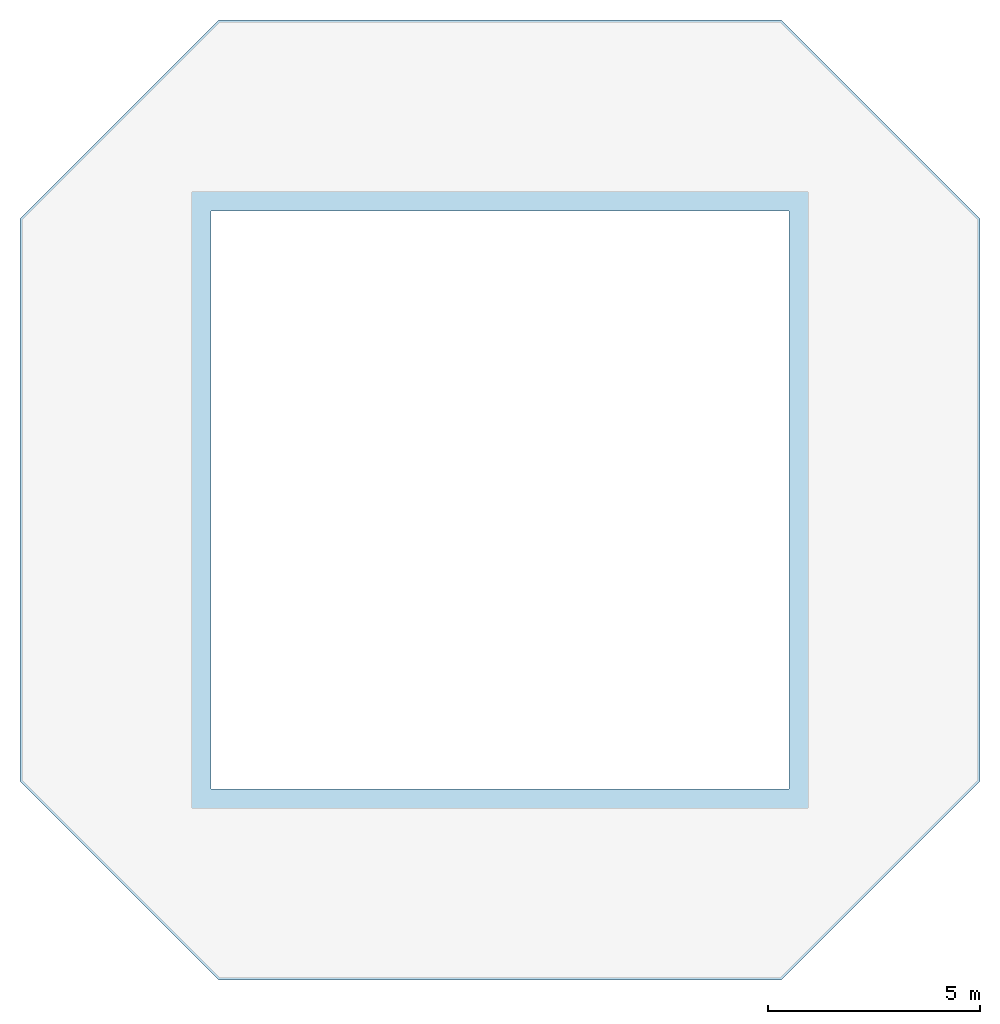
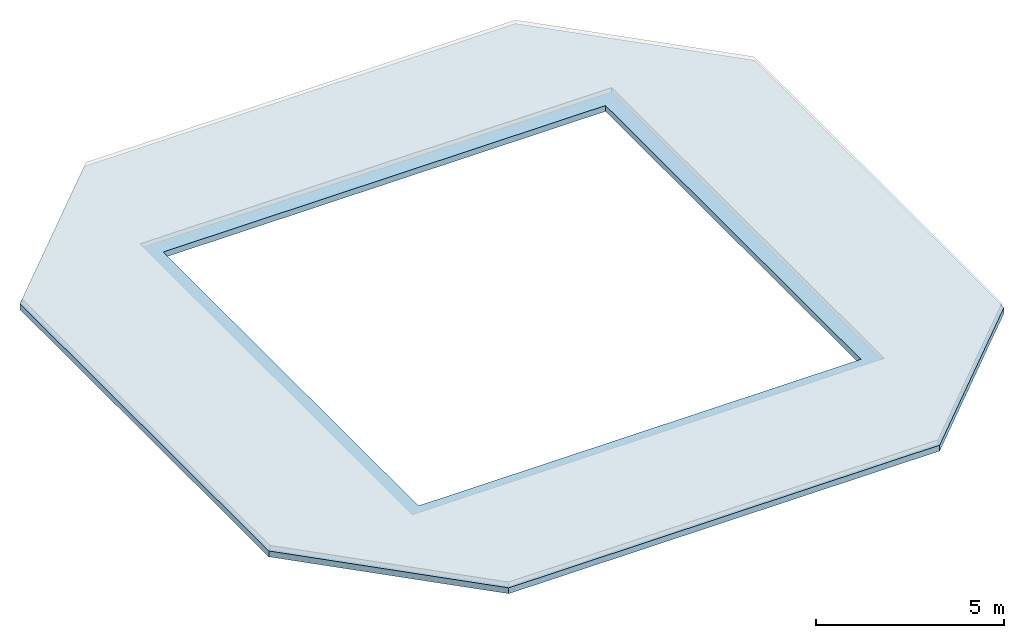
# One storey, part 1 of 2: 1 slab.
"""IFC4 building model written with IfcOpenShell, lengths in metres."""

import ifcopenshell
import ifcopenshell.guid

model = None  # the IFC model being written
_history = None  # IfcOwnerHistory: only IFC2X3 demands one
_inside = {}  # id of a spatial element -> (the spatial element, [elements in it])
_under = {}  # id of a project, library or spatial element -> (it, [spatial elements below it])
_declared = {}  # id of a project -> (the project, [libraries it declares])
_typed = {}  # id of a type object -> (the type object, [elements of that type])
_made_of = {}  # id of a material, layer set ... -> (it, [elements and type objects made of it])


def new_model(schema):
    """Start an empty IFC model of exactly this schema.

    Asked for "IFC4X3", IfcOpenShell would pick the latest addendum, in which some entities
    have other attributes; the version numbers below select the first issue.
    IFC2X3 requires an IfcOwnerHistory on every rooted entity: one is made here for all.
    """
    global model, _history
    if schema == "IFC4X3":
        model = ifcopenshell.file(schema_version=(4, 3, 0, 0))
    else:
        model = ifcopenshell.file(schema=schema)
    _inside.clear()
    _under.clear()
    _declared.clear()
    _typed.clear()
    _made_of.clear()
    _history = None
    if model.schema == "IFC2X3":
        org = make("IfcOrganization", Name="unknown")
        user = make(
            "IfcPersonAndOrganization",
            ThePerson=make("IfcPerson", FamilyName="unknown"),
            TheOrganization=org,
        )
        app = make(
            "IfcApplication",
            ApplicationDeveloper=org,
            Version="unknown",
            ApplicationFullName="unknown",
            ApplicationIdentifier="unknown",
        )
        _history = make(
            "IfcOwnerHistory",
            OwningUser=user,
            OwningApplication=app,
            ChangeAction="ADDED",
            CreationDate=0,
        )
    return model


def make(cls, **values):
    """One entity of the class cls with the attributes given. An attribute that is None is left unset."""
    return model.create_entity(
        cls, **{name: value for name, value in values.items() if value is not None}
    )


def rooted(cls, **values):
    """An entity with a GlobalId (a new one), such as an element, a storey or a relation."""
    return make(cls, GlobalId=ifcopenshell.guid.new(), OwnerHistory=_history, **values)


def si_unit(unit_type, name, prefix=None):
    """IfcSIUnit, for example si_unit("LENGTHUNIT", "METRE", prefix="MILLI")."""
    return make("IfcSIUnit", UnitType=unit_type, Prefix=prefix, Name=name)


def assignment(units):
    """IfcUnitAssignment: the units of a project."""
    return None if units is None else make("IfcUnitAssignment", Units=units)


def point(xyz):
    """IfcCartesianPoint."""
    return None if xyz is None else make("IfcCartesianPoint", Coordinates=xyz)


def direction(xyz):
    """IfcDirection."""
    return None if xyz is None else make("IfcDirection", DirectionRatios=xyz)


def frame(location, z_axis=None, x_axis=None):
    """IfcAxis2Placement3D, a coordinate frame: its origin and axes. An axis left out is left unset."""
    return make(
        "IfcAxis2Placement3D",
        Location=point(location),
        Axis=direction(z_axis),
        RefDirection=direction(x_axis),
    )


def origin():
    """The frame at (0, 0, 0) with its axes left unset."""
    return frame((0.0, 0.0, 0.0))


def place(relative_to, where):
    """IfcLocalPlacement: puts the frame where relative to a parent placement (None: the world)."""
    return make(
        "IfcLocalPlacement", PlacementRelTo=relative_to, RelativePlacement=where
    )


def context(
    kind, dimensions, precision=None, world=None, true_north=None, identifier=None
):
    """IfcGeometricRepresentationContext, for example the 3D "Model" context."""
    return make(
        "IfcGeometricRepresentationContext",
        ContextIdentifier=identifier,
        ContextType=kind,
        CoordinateSpaceDimension=dimensions,
        Precision=precision,
        WorldCoordinateSystem=world,
        TrueNorth=true_north,
    )


def subcontext(parent, identifier, kind, view, scale=None):
    """IfcGeometricRepresentationSubContext, for example "Body" below "Model"."""
    return make(
        "IfcGeometricRepresentationSubContext",
        ContextIdentifier=identifier,
        ContextType=kind,
        ParentContext=parent,
        TargetScale=scale,
        TargetView=view,
    )


def project(units=None, contexts=None):
    """IfcProject with its units and contexts."""
    return rooted(
        "IfcProject",
        Name="project",
        RepresentationContexts=contexts,
        UnitsInContext=assignment(units),
    )


def spatial(cls, under=None, at=None, **own):
    """A site, building, storey or space (cls), placed at a placement, below another one or the project."""
    s = rooted(cls, ObjectPlacement=at, **own)
    if under is not None:
        _under.setdefault(under.id(), (under, []))[1].append(s)
    return s


def polyline(points):
    """IfcPolyline through the points."""
    return make("IfcPolyline", Points=[point(p) for p in points])


def outline(outer, holes=None, kind="AREA"):
    """IfcArbitraryClosedProfileDef: a profile drawn as a closed curve; with holes, ...WithVoids."""
    if holes is None:
        return make("IfcArbitraryClosedProfileDef", ProfileType=kind, OuterCurve=outer)
    return make(
        "IfcArbitraryProfileDefWithVoids",
        ProfileType=kind,
        OuterCurve=outer,
        InnerCurves=holes,
    )


def extrude(swept, where, along, depth):
    """IfcExtrudedAreaSolid: the profile swept, set in the frame where, extruded along a direction by depth."""
    return make(
        "IfcExtrudedAreaSolid",
        SweptArea=swept,
        Position=where,
        ExtrudedDirection=direction(along),
        Depth=depth,
    )


def shape(context_of_items, identifier, shape_type, items):
    """IfcShapeRepresentation: the items that make up one representation, for example the "Body"."""
    return make(
        "IfcShapeRepresentation",
        ContextOfItems=context_of_items,
        RepresentationIdentifier=identifier,
        RepresentationType=shape_type,
        Items=items,
    )


def material(Name=None, Category=None):
    """IfcMaterial."""
    return make("IfcMaterial", Name=Name, Category=Category)


def layer(
    of_material, thickness, ventilated=None, Name=None, Category=None, Priority=None
):
    """IfcMaterialLayer: one layer of a wall or slab, of a material (None: an air gap)."""
    return make(
        "IfcMaterialLayer",
        Material=of_material,
        LayerThickness=thickness,
        IsVentilated=ventilated,
        Name=Name,
        Category=Category,
        Priority=Priority,
    )


def layer_set(layers, Name=None):
    """IfcMaterialLayerSet."""
    return make("IfcMaterialLayerSet", MaterialLayers=layers, LayerSetName=Name)


def made_of(thing, what):
    """Note that an element or type object is made of a material, layer set ...; save() writes the relation."""
    if what is not None:
        _made_of.setdefault(what.id(), (what, []))[1].append(thing)
    return thing


def type_object(cls, material=None, **own):
    """A type object (cls), such as IfcWallType, which elements share."""
    return made_of(rooted(cls, **own), material)


def element(
    cls,
    number,
    at=None,
    inside=None,
    cuts=None,
    type_object=None,
    material=None,
    context=None,
    identifier="Body",
    shape_type=None,
    held_by="IfcProductDefinitionShape",
    body=None,
    shapes=None,
    **own,
):
    """One element of the class cls, such as IfcWall. Its Tag is "e" and its number.

    at: its placement. inside: the storey or other place that contains it. cuts: it is an
    opening in that element (IfcRelVoidsElement). A single representation is given by context,
    identifier, shape_type and body (its items); several are given by shapes. held_by: the class
    of the entity that holds the representations. save() writes the other relations.
    """
    e = rooted(cls, Tag="e%d" % number, ObjectPlacement=at, **own)
    if body is not None:
        shapes = [shape(context, identifier, shape_type, body)]
    if shapes is not None:
        e.Representation = make(held_by, Representations=shapes)
    if inside is not None:
        _inside.setdefault(inside.id(), (inside, []))[1].append(e)
    if cuts is not None:
        rooted(
            "IfcRelVoidsElement", RelatingBuildingElement=cuts, RelatedOpeningElement=e
        )
    if type_object is not None:
        _typed.setdefault(type_object.id(), (type_object, []))[1].append(e)
    return made_of(e, material)


def aggregate(whole, parts):
    """IfcRelAggregates: a whole, such as a stair, and the parts it consists of."""
    return rooted("IfcRelAggregates", RelatingObject=whole, RelatedObjects=parts)


def save(model, path):
    """Write the relations noted so far, then the file.

    IfcRelAggregates (storeys below a building ...), IfcRelContainedInSpatialStructure (elements
    in a storey), IfcRelDefinesByType, IfcRelAssociatesMaterial and IfcRelDeclares: one each for
    every whole, place, type object, material and project.
    """
    for whole, parts in _under.values():
        aggregate(whole, parts)
    for where, things in _inside.values():
        rooted(
            "IfcRelContainedInSpatialStructure",
            RelatedElements=things,
            RelatingStructure=where,
        )
    for kind, things in _typed.values():
        rooted("IfcRelDefinesByType", RelatedObjects=things, RelatingType=kind)
    for what, things in _made_of.values():
        rooted("IfcRelAssociatesMaterial", RelatedObjects=things, RelatingMaterial=what)
    for by, libraries in _declared.values():
        rooted("IfcRelDeclares", RelatingContext=by, RelatedDefinitions=libraries)
    model.write(path)


model = new_model("IFC4")

# Units and contexts
model_context = context("Model", 3, precision=1e-05, world=origin(), true_north=direction((0.0, 1.0)))
body_context = subcontext(model_context, "Body", "Model", "MODEL_VIEW")
ifc_project = project(units=[si_unit("LENGTHUNIT", "METRE"), si_unit("AREAUNIT", "SQUARE_METRE"), si_unit("VOLUMEUNIT", "CUBIC_METRE"), si_unit("PLANEANGLEUNIT", "RADIAN"), si_unit("MASSUNIT", "GRAM", prefix="KILO")], contexts=[model_context])

# Site, building, storey
site_placement = place(None, origin())
site = spatial("IfcSite", under=ifc_project, at=site_placement, CompositionType="ELEMENT")
building_placement = place(site_placement, origin())
building = spatial("IfcBuilding", under=site, at=building_placement, Name="Trevanion Tower", CompositionType="ELEMENT")
storey_placement = place(building_placement, frame((0.0, 0.0, 318.199951171875)))
storey = spatial("IfcBuildingStorey", under=building, at=storey_placement, Name="ROOF T1", CompositionType="ELEMENT", Elevation=318.199951171875)

# Slab
ifc_material = material(Name="Concrete 5,000 psi on composite metal deck", Category="concrete")
ifc_layer = layer(ifc_material, 0.18994140625)
ifc_layer_set = layer_set([ifc_layer], Name="RS1 composite roof 190")
slab_type = type_object("IfcSlabType", Name="RS1 composite roof 190", PredefinedType="ROOF", material=ifc_layer_set)
slab_placement = place(storey_placement, frame((0.0, 0.0, -0.18994140625)))
element("IfcSlab", 1, at=slab_placement, inside=storey, type_object=slab_type, Name="RS1 crown tier 1 roof", PredefinedType="ROOF", context=body_context, shape_type="SweptSolid", body=[
    extrude(outline(polyline([(11.300048828125, -6.624267578125), (11.300048828125, 6.624267578125), (6.624267578125, 11.300048828125), (-6.624267578125, 11.300048828125), (-11.300048828125, 6.624267578125), (-11.300048828125, -6.624267578125), (-6.624267578125, -11.300048828125), (6.624267578125, -11.300048828125), (11.300048828125, -6.624267578125)]), holes=[polyline([(-6.800048828125, -6.800048828125), (-6.800048828125, 6.800048828125), (6.800048828125, 6.800048828125), (6.800048828125, -6.800048828125), (-6.800048828125, -6.800048828125)])]), origin(), (0.0, 0.0, 1.0), 0.18994140625),
])

save(model, "model.ifc")
